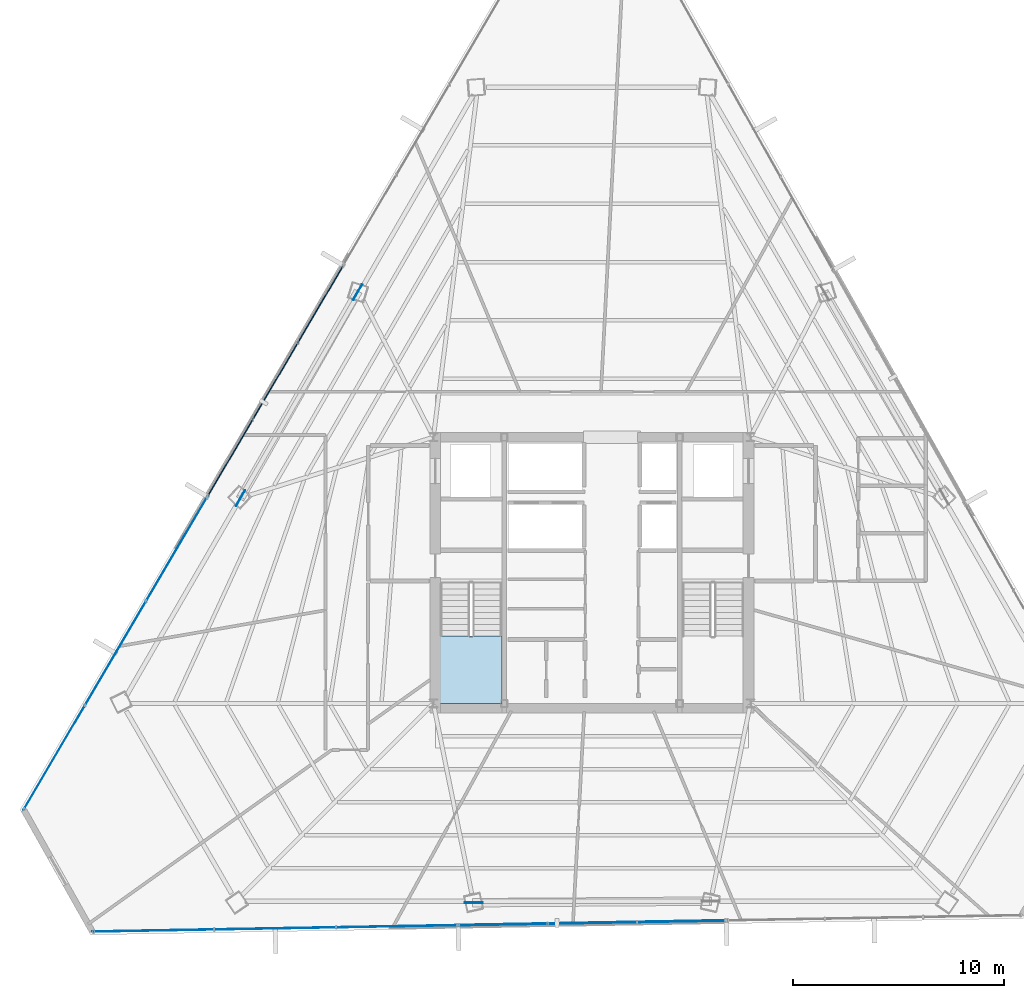
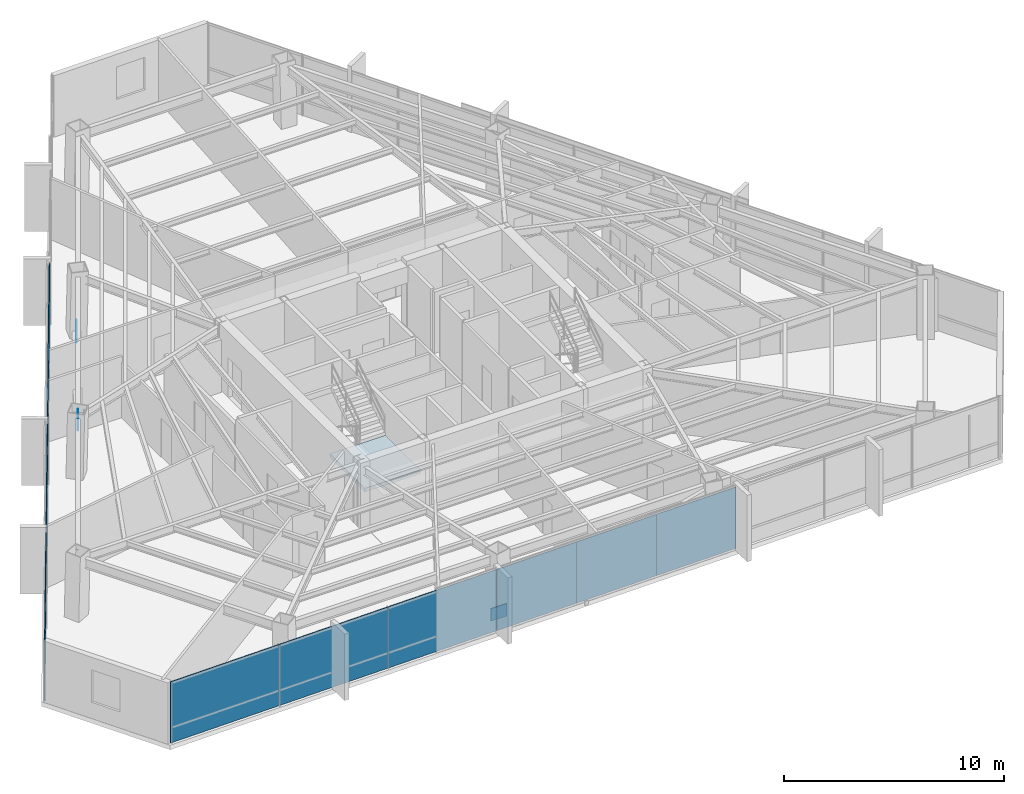
# One storey, part 33 of 42: 15 plates, 1 slab, 5 elements without a shape of their own.
"""IFC4 building model written with IfcOpenShell, lengths in metres."""

from ifc_helpers import new_model, si_unit, direction, frame, origin, origin_2d, place, context, subcontext, project, spatial, polyline, rectangle, outline, extrude, source, transform, mapped, material, layer, layer_set, type_object, type_shapes, element, aggregate, save


model = new_model("IFC4")

# Units and contexts
model_context = context("Model", 3, precision=1e-05, world=origin(), true_north=direction((0.0, 1.0)))
body_context = subcontext(model_context, "Body", "Model", "MODEL_VIEW")
ifc_project = project(units=[si_unit("LENGTHUNIT", "METRE"), si_unit("AREAUNIT", "SQUARE_METRE"), si_unit("VOLUMEUNIT", "CUBIC_METRE"), si_unit("PLANEANGLEUNIT", "RADIAN"), si_unit("MASSUNIT", "GRAM", prefix="KILO")], contexts=[model_context])

# Site, building, storey
site_placement = place(None, origin())
site = spatial("IfcSite", under=ifc_project, at=site_placement, CompositionType="ELEMENT")
building_placement = place(site_placement, origin())
building = spatial("IfcBuilding", under=site, at=building_placement, Name="Caelisora Broadcast Tower", CompositionType="ELEMENT")
storey_placement = place(building_placement, frame((0.0, 0.0, 187.699951171875)))
storey = spatial("IfcBuildingStorey", under=building, at=storey_placement, Name="L49", CompositionType="ELEMENT", Elevation=187.699951171875)

# Stair, slab
ifc_material_1 = material(Name="Concrete 40 MPa (AS 3600 N40)", Category="concrete")
stair_type = type_object("IfcStairType", Name="ST-1", PredefinedType="HALF_TURN_STAIR", material=ifc_material_1)
stair_placement = place(storey_placement, origin())
stair = element("IfcStair", 1, at=stair_placement, inside=storey, type_object=stair_type, Name="L49 West Fire-Isolated Tower Stair", PredefinedType="HALF_TURN_STAIR")
ifc_layer_1 = layer(ifc_material_1, 0.199951171875, Name="Concrete 40 MPa (AS 3600 N40)")
ifc_layer_set_1 = layer_set([ifc_layer_1], Name="Concrete 40 MPa (AS 3600 N40)")
slab_type = type_object("IfcSlabType", Name="STL-1", PredefinedType="LANDING", material=ifc_layer_set_1)
slab_placement = place(storey_placement, frame((0.0, 0.0, 1.625)))
slab = element("IfcSlab", 2, at=slab_placement, type_object=slab_type, Name="ST-1 landing 1", PredefinedType="LANDING", context=body_context, shape_type="SweptSolid", body=[
    extrude(outline(polyline([(30.820068359375, 20.580078125), (30.820068359375, 17.39990234375), (33.739990234375, 17.39990234375), (33.739990234375, 20.580078125), (30.820068359375, 20.580078125)])), origin(), (0.0, 0.0, 1.0), 0.199951171875),
])
aggregate(stair, [slab])

# Plates
ifc_material_2 = material(Name="Steel Grade 350 L15 (AS/NZS 3678)", Category="steel")
ifc_layer_2 = layer(ifc_material_2, 0.0400390625, Name="Steel Grade 350 L15 (AS/NZS 3678)")
ifc_layer_set_2 = layer_set([ifc_layer_2], Name="Steel Grade 350 L15 (AS/NZS 3678)")
plate_type_1 = type_object("IfcPlateType", Name="GP04", PredefinedType="USERDEFINED", material=ifc_layer_set_2)
shared_shape_1 = source(origin(), body_context, "Body", "SweptSolid", [
    extrude(rectangle(XDim=0.85009765625, YDim=0.0400390625, at=origin_2d()), origin(), (0.0, 0.0, 1.0), 0.699951171875),
])
type_shapes(plate_type_1, [shared_shape_1])
for number, where, z_axis, x_axis, name in (
    (3, (26.916748046875, 36.86083984375, -0.22998046875), (0.0, 0.0, 1.0), (-0.5, -0.866025403784, 0.0), "L49 gusset plate GP04 (ND-L49-C02B)"),
    (4, (21.375, 27.11767578125, 2.72998046875), (0.0, 0.0, 1.0), (-0.5, -0.866025403784, 0.0), "L49 gusset plate GP04 (ND-L49-C03T)"),
    (5, (32.40380859375, 7.97119140625, -0.22998046875), (0.0, 0.0, 1.0), (1.0, 0.0, 0.0), "L49 gusset plate GP04 (ND-L49-C06B)"),
):
    element("IfcPlate", number, at=place(storey_placement, frame(where, z_axis=z_axis, x_axis=x_axis)), inside=storey, type_object=plate_type_1, Name=name, ObjectType="GUSSET PLATE", PredefinedType="USERDEFINED", context=body_context, shape_type="MappedRepresentation", body=[
        mapped(shared_shape_1, transform((0.0, 0.0, 0.0), scale=1.0)),
    ])

# Curtain wall, plates
ifc_material_3 = material(Name="Unitised Aluminium Insulated Shadow-Box Spandrel Curtain Wall", Category="aluminium")
curtain_wall_type_1 = type_object("IfcCurtainWallType", Name="CW-SP2", PredefinedType="NOTDEFINED", material=ifc_material_3)
curtain_wall_1_placement = place(storey_placement, origin())
curtain_wall_1 = element("IfcCurtainWall", 6, at=curtain_wall_1_placement, inside=storey, type_object=curtain_wall_type_1, Name="L49 curtain wall CW-SP2", PredefinedType="NOTDEFINED")
ifc_material_4 = material(Name="Insulated Terracotta Shadow-Box Spandrel Panel", Category="aluminium")
ifc_layer_3 = layer(ifc_material_4, 0.0439453125, Name="Insulated Terracotta Shadow-Box Spandrel Panel")
ifc_layer_set_3 = layer_set([ifc_layer_3], Name="Insulated Terracotta Shadow-Box Spandrel Panel")
plate_type_2 = type_object("IfcPlateType", Name="CWP-10", PredefinedType="CURTAIN_PANEL", material=ifc_layer_set_3)
shared_shape_2 = source(origin(), body_context, "Body", "SweptSolid", [
    extrude(rectangle(XDim=4.227294921875, YDim=0.0439453125, at=origin_2d()), origin(), (0.0, 0.0, 1.0), 3.39990234375),
])
plate_1_placement = place(storey_placement, frame((20.8828125, 29.01220703125, 0.0), z_axis=(0.0, 0.0, 1.0), x_axis=(0.506334807353, 0.862336977557, 0.0)))
plate_1 = element("IfcPlate", 7, at=plate_1_placement, type_object=plate_type_2, Name="L49-CW-B10 spandrel panel #1", PredefinedType="CURTAIN_PANEL", context=body_context, shape_type="MappedRepresentation", body=[
    mapped(shared_shape_2, transform((0.0, 0.0, 0.0), scale=1.0)),
])
plate_2_placement = place(storey_placement, frame((23.023193359375, 32.65771484375, 0.0), z_axis=(0.0, 0.0, 1.0), x_axis=(0.506334807353, 0.862336977557, 0.0)))
plate_2 = element("IfcPlate", 8, at=plate_2_placement, type_object=plate_type_2, Name="L49-CW-B10 spandrel panel #2", PredefinedType="CURTAIN_PANEL", context=body_context, shape_type="MappedRepresentation", body=[
    mapped(shared_shape_2, transform((0.0, 0.0, 0.0), scale=1.0)),
])
plate_3_placement = place(storey_placement, frame((25.163818359375, 36.302978515625, 0.0), z_axis=(0.0, 0.0, 1.0), x_axis=(0.506334807353, 0.862336977557, 0.0)))
plate_3 = element("IfcPlate", 9, at=plate_3_placement, type_object=plate_type_2, Name="L49-CW-B10 spandrel panel #3", PredefinedType="CURTAIN_PANEL", context=body_context, shape_type="MappedRepresentation", body=[
    mapped(shared_shape_2, transform((0.0, 0.0, 0.0), scale=1.0)),
])
aggregate(curtain_wall_1, [plate_1, plate_2, plate_3])

curtain_wall_2_placement = place(storey_placement, origin())
curtain_wall_2 = element("IfcCurtainWall", 10, at=curtain_wall_2_placement, inside=storey, type_object=curtain_wall_type_1, Name="L49 curtain wall CW-SP2", PredefinedType="NOTDEFINED")
shared_shape_3 = source(origin(), body_context, "Body", "SweptSolid", [
    extrude(rectangle(XDim=4.226806640625, YDim=0.0439453125, at=origin_2d()), origin(), (0.0, 0.0, 1.0), 3.39990234375),
])
type_shapes(plate_type_2, [shared_shape_2, shared_shape_3])
plate_4_placement = place(storey_placement, frame((42.242919921875, 7.090087890625, 0.0), z_axis=(0.0, 0.0, 1.0), x_axis=(-0.999844633908, -0.017626912514, 0.0)))
plate_4 = element("IfcPlate", 11, at=plate_4_placement, type_object=plate_type_2, Name="L49-CW-B06 spandrel panel #1", PredefinedType="CURTAIN_PANEL", context=body_context, shape_type="MappedRepresentation", body=[
    mapped(shared_shape_3, transform((0.0, 0.0, 0.0), scale=1.0)),
])
plate_5_placement = place(storey_placement, frame((38.016845703125, 7.015869140625, 0.0), z_axis=(0.0, 0.0, 1.0), x_axis=(-0.999844633908, -0.017626912514, 0.0)))
plate_5 = element("IfcPlate", 12, at=plate_5_placement, type_object=plate_type_2, Name="L49-CW-B06 spandrel panel #2", PredefinedType="CURTAIN_PANEL", context=body_context, shape_type="MappedRepresentation", body=[
    mapped(shared_shape_3, transform((0.0, 0.0, 0.0), scale=1.0)),
])
plate_6_placement = place(storey_placement, frame((33.79052734375, 6.94140625, 0.0), z_axis=(0.0, 0.0, 1.0), x_axis=(-0.999844633908, -0.017626912514, 0.0)))
plate_6 = element("IfcPlate", 13, at=plate_6_placement, type_object=plate_type_2, Name="L49-CW-B06 spandrel panel #3", PredefinedType="CURTAIN_PANEL", context=body_context, shape_type="MappedRepresentation", body=[
    mapped(shared_shape_3, transform((0.0, 0.0, 0.0), scale=1.0)),
])
aggregate(curtain_wall_2, [plate_4, plate_5, plate_6])

ifc_material_5 = material(Name="Unitised Aluminium and Low-E Glass Curtain Wall", Category="glass")
curtain_wall_type_2 = type_object("IfcCurtainWallType", Name="CW-Z4", PredefinedType="NOTDEFINED", material=ifc_material_5)
curtain_wall_3_placement = place(storey_placement, origin())
curtain_wall_3 = element("IfcCurtainWall", 14, at=curtain_wall_3_placement, inside=storey, type_object=curtain_wall_type_2, Name="L49 curtain wall CW-Z4", PredefinedType="NOTDEFINED")
ifc_material_6 = material(Name="Double Glazed Low-E Argon IGU", Category="glass")
ifc_layer_4 = layer(ifc_material_6, 0.030029296875, Name="Double Glazed Low-E Argon IGU")
ifc_layer_set_4 = layer_set([ifc_layer_4], Name="Double Glazed Low-E Argon IGU")
plate_type_3 = type_object("IfcPlateType", Name="CWP-05", PredefinedType="CURTAIN_PANEL", material=ifc_layer_set_4)
shared_shape_4 = source(origin(), body_context, "Body", "SweptSolid", [
    extrude(rectangle(XDim=5.767578125, YDim=0.030029296875, at=origin_2d()), origin(), (0.0, 0.0, 1.0), 3.39990234375),
])
plate_7_placement = place(storey_placement, frame((28.783935546875, 6.853515625, 0.0), z_axis=(0.0, 0.0, 1.0), x_axis=(-0.999844633908, -0.017626912514, 0.0)))
plate_7 = element("IfcPlate", 15, at=plate_7_placement, type_object=plate_type_3, Name="L49-CW-B07 glazed panel #1", PredefinedType="CURTAIN_PANEL", context=body_context, shape_type="MappedRepresentation", body=[
    mapped(shared_shape_4, transform((0.0, 0.0, 0.0), scale=1.0)),
])
plate_8_placement = place(storey_placement, frame((23.01708984375, 6.752197265625, 0.0), z_axis=(0.0, 0.0, 1.0), x_axis=(-0.999844633908, -0.017626912514, 0.0)))
plate_8 = element("IfcPlate", 16, at=plate_8_placement, type_object=plate_type_3, Name="L49-CW-B07 glazed panel #2", PredefinedType="CURTAIN_PANEL", context=body_context, shape_type="MappedRepresentation", body=[
    mapped(shared_shape_4, transform((0.0, 0.0, 0.0), scale=1.0)),
])
plate_9_placement = place(storey_placement, frame((17.25048828125, 6.650634765625, 0.0), z_axis=(0.0, 0.0, 1.0), x_axis=(-0.999844633908, -0.017626912514, 0.0)))
plate_9 = element("IfcPlate", 17, at=plate_9_placement, type_object=plate_type_3, Name="L49-CW-B07 glazed panel #3", PredefinedType="CURTAIN_PANEL", context=body_context, shape_type="MappedRepresentation", body=[
    mapped(shared_shape_4, transform((0.0, 0.0, 0.0), scale=1.0)),
])
aggregate(curtain_wall_3, [plate_7, plate_8, plate_9])

curtain_wall_4_placement = place(storey_placement, origin())
curtain_wall_4 = element("IfcCurtainWall", 18, at=curtain_wall_4_placement, inside=storey, type_object=curtain_wall_type_2, Name="L49 curtain wall CW-Z4", PredefinedType="NOTDEFINED")
shared_shape_5 = source(origin(), body_context, "Body", "SweptSolid", [
    extrude(rectangle(XDim=5.724365234375, YDim=0.030029296875, at=origin_2d()), origin(), (0.0, 0.0, 1.0), 3.39990234375),
])
type_shapes(plate_type_3, [shared_shape_4, shared_shape_5])
plate_10_placement = place(storey_placement, frame((12.561279296875, 14.840087890625, 0.0), z_axis=(0.0, 0.0, 1.0), x_axis=(0.506334807353, 0.862336977557, 0.0)))
plate_10 = element("IfcPlate", 19, at=plate_10_placement, type_object=plate_type_3, Name="L49-CW-B09 glazed panel #1", PredefinedType="CURTAIN_PANEL", context=body_context, shape_type="MappedRepresentation", body=[
    mapped(shared_shape_5, transform((0.0, 0.0, 0.0), scale=1.0)),
])
plate_11_placement = place(storey_placement, frame((15.459716796875, 19.776611328125, 0.0), z_axis=(0.0, 0.0, 1.0), x_axis=(0.506334807353, 0.862336977557, 0.0)))
plate_11 = element("IfcPlate", 20, at=plate_11_placement, type_object=plate_type_3, Name="L49-CW-B09 glazed panel #2", PredefinedType="CURTAIN_PANEL", context=body_context, shape_type="MappedRepresentation", body=[
    mapped(shared_shape_5, transform((0.0, 0.0, 0.0), scale=1.0)),
])
plate_12_placement = place(storey_placement, frame((18.358154296875, 24.712890625, 0.0), z_axis=(0.0, 0.0, 1.0), x_axis=(0.506334807353, 0.862336977557, 0.0)))
plate_12 = element("IfcPlate", 21, at=plate_12_placement, type_object=plate_type_3, Name="L49-CW-B09 glazed panel #3", PredefinedType="CURTAIN_PANEL", context=body_context, shape_type="MappedRepresentation", body=[
    mapped(shared_shape_5, transform((0.0, 0.0, 0.0), scale=1.0)),
])
aggregate(curtain_wall_4, [plate_10, plate_11, plate_12])

save(model, "model.ifc")
